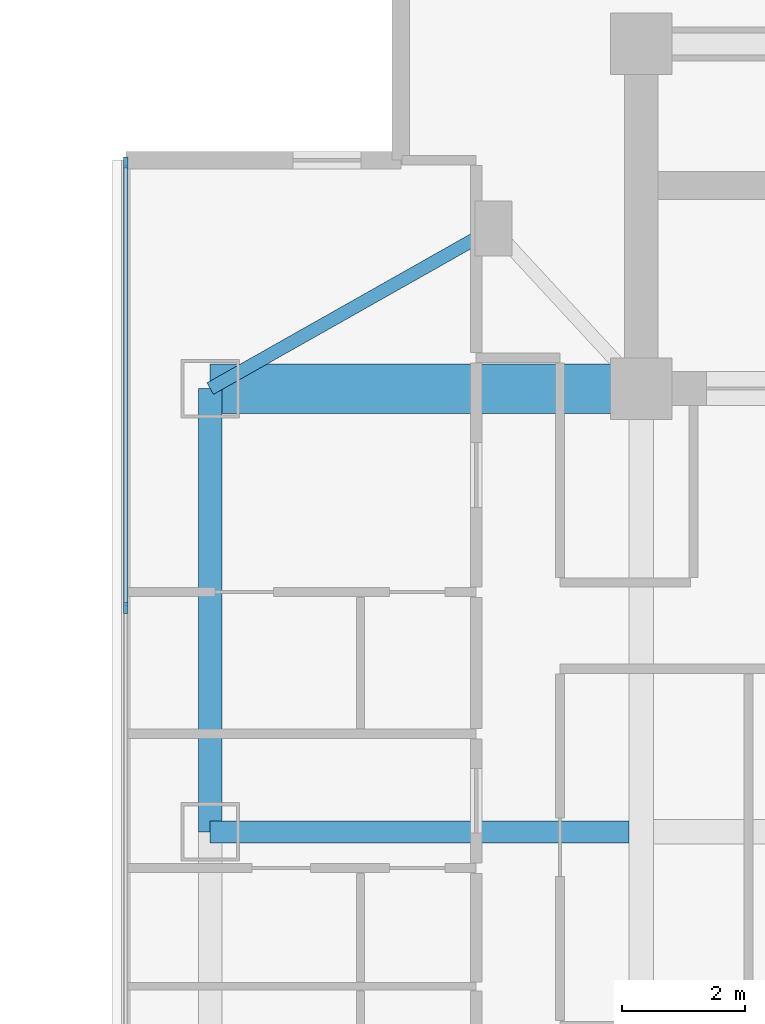
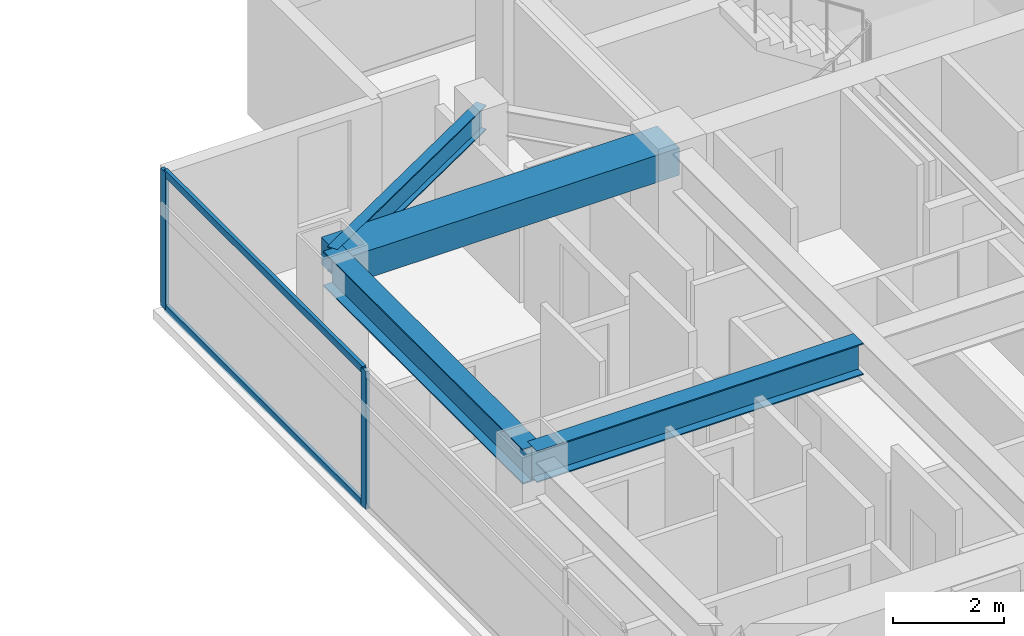
# One storey, part 7 of 24: 4 beams, 4 members, 1 element without a shape of its own.
"""IFC4 building model written with IfcOpenShell, lengths in metres."""

from ifc_helpers import new_model, si_unit, direction, frame, origin, origin_2d, place, context, subcontext, project, spatial, rectangle, i_section, extrude, material, material_profile, profile_set, type_object, element, aggregate, save


model = new_model("IFC4")

# Units and contexts
model_context = context("Model", 3, precision=1e-05, world=origin(), true_north=direction((0.0, 1.0)))
body_context = subcontext(model_context, "Body", "Model", "MODEL_VIEW")
ifc_project = project(units=[si_unit("LENGTHUNIT", "METRE"), si_unit("AREAUNIT", "SQUARE_METRE"), si_unit("VOLUMEUNIT", "CUBIC_METRE"), si_unit("PLANEANGLEUNIT", "RADIAN"), si_unit("MASSUNIT", "GRAM", prefix="KILO")], contexts=[model_context])

# Site, building, storey
site_placement = place(None, origin())
site = spatial("IfcSite", under=ifc_project, at=site_placement, CompositionType="ELEMENT")
building_placement = place(site_placement, origin())
building = spatial("IfcBuilding", under=site, at=building_placement, Name="Mirazonda Arch Towers", CompositionType="ELEMENT")
storey_placement = place(building_placement, frame((0.0, 0.0, 157.64990234375)))
storey = spatial("IfcBuildingStorey", under=building, at=storey_placement, Name="L44", CompositionType="ELEMENT", Elevation=157.64990234375)

# Beams
ifc_material_1 = material(Name="Steel ASTM A992 Grade 50", Category="steel")
ifc_material_profile_1 = material_profile(ifc_material_1, i_section(OverallWidth=0.381103515625, OverallDepth=0.77294921875, WebThickness=0.0166015625, FlangeThickness=0.027099609375, at=origin_2d()), Name="W30X173")
ifc_profile_set_1 = profile_set([ifc_material_profile_1], Name="Steel ASTM A992 Grade 50")
beam_type_1 = type_object("IfcBeamType", Name="BM-EXT-W30X173", PredefinedType="USERDEFINED", material=ifc_profile_set_1)
beam_1_placement = place(storey_placement, frame((61.0, 28.0, 2.66357421875), z_axis=(0.0, 1.0, 0.0), x_axis=(-1.0, 0.0, 0.0)))
element("IfcBeam", 1, at=beam_1_placement, inside=storey, type_object=beam_type_1, Name="L44 Floor Beam BM-T2-L44-NS-W-28", ObjectType="GIRDER", PredefinedType="USERDEFINED", context=body_context, shape_type="SweptSolid", body=[
    extrude(i_section(OverallWidth=0.381103515625, OverallDepth=0.77294921875, WebThickness=0.0166015625, FlangeThickness=0.027099609375, at=origin_2d()), origin(), (0.0, 0.0, 1.0), 7.199951171875),
])
ifc_material_profile_2 = material_profile(ifc_material_1, i_section(OverallWidth=0.214111328125, OverallDepth=0.549072265625, WebThickness=0.0146484375, FlangeThickness=0.023681640625, at=origin_2d()), Name="W21X93")
ifc_profile_set_2 = profile_set([ifc_material_profile_2], Name="Steel ASTM A992 Grade 50")
beam_type_2 = type_object("IfcBeamType", Name="BM-INT-W21X93", PredefinedType="BEAM", material=ifc_profile_set_2)
beam_2_placement = place(storey_placement, frame((65.60009765625, 37.800048828125, 2.775634765625), z_axis=(-0.870559396632, -0.492063346467, 0.0), x_axis=(0.492063346467, -0.870559396632, 0.0)))
element("IfcBeam", 2, at=beam_2_placement, inside=storey, type_object=beam_type_2, Name="L44 Floor Beam BM-T2-L44-PL-NW2", PredefinedType="BEAM", context=body_context, shape_type="SweptSolid", body=[
    extrude(i_section(OverallWidth=0.214111328125, OverallDepth=0.549072265625, WebThickness=0.0146484375, FlangeThickness=0.023681640625, at=origin_2d()), origin(), (0.0, 0.0, 1.0), 5.2841796875),
])
ifc_material_profile_3 = material_profile(ifc_material_1, i_section(OverallWidth=0.35498046875, OverallDepth=0.696044921875, WebThickness=0.015380859375, FlangeThickness=0.02490234375, at=origin_2d()), Name="W27X146")
ifc_profile_set_3 = profile_set([ifc_material_profile_3], Name="Steel ASTM A992 Grade 50")
beam_type_3 = type_object("IfcBeamType", Name="BM-INT-W27X146", PredefinedType="BEAM", material=ifc_profile_set_3)
beam_3_placement = place(storey_placement, frame((61.0, 28.0, 2.7021484375), z_axis=(1.0, 0.0, 0.0), x_axis=(0.0, 1.0, 0.0)))
element("IfcBeam", 3, at=beam_3_placement, inside=storey, type_object=beam_type_3, Name="L44 Floor Beam BM-T2-L44-GW2", PredefinedType="BEAM", context=body_context, shape_type="SweptSolid", body=[
    extrude(i_section(OverallWidth=0.35498046875, OverallDepth=0.696044921875, WebThickness=0.015380859375, FlangeThickness=0.02490234375, at=origin_2d()), origin(), (0.0, 0.0, 1.0), 6.800048828125),
])
ifc_material_2 = material(Name="Concrete C60/75", Category="concrete")
ifc_material_profile_4 = material_profile(ifc_material_2, rectangle(XDim=0.800048828125, YDim=0.60009765625, at=origin_2d()), Name="RCCB800x600")
ifc_profile_set_4 = profile_set([ifc_material_profile_4], Name="Concrete C60/75")
beam_type_4 = type_object("IfcBeamType", Name="CB-INT-RCCB800x600", PredefinedType="SPANDREL", material=ifc_profile_set_4)
beam_4_placement = place(storey_placement, frame((61.0, 35.199951171875, 2.75), z_axis=(1.0, 0.0, 0.0), x_axis=(0.0, 1.0, 0.0)))
element("IfcBeam", 4, at=beam_4_placement, inside=storey, type_object=beam_type_4, Name="L44 Floor Beam CBC-T2-L44-NW", PredefinedType="SPANDREL", context=body_context, shape_type="SweptSolid", body=[
    extrude(rectangle(XDim=0.800048828125, YDim=0.60009765625, at=origin_2d()), origin(), (0.0, 0.0, 1.0), 7.0),
])

# Curtain wall, members
ifc_material_3 = material(Name="Anodised Aluminium and Low-E Glass", Category="aluminium")
curtain_wall_type = type_object("IfcCurtainWallType", Name="CW-RES-UNIT", PredefinedType="NOTDEFINED", material=ifc_material_3)
curtain_wall_placement = place(storey_placement, origin())
curtain_wall = element("IfcCurtainWall", 5, at=curtain_wall_placement, inside=storey, type_object=curtain_wall_type, Name="L44 T2 W Facade CW-L44-T2-W", PredefinedType="NOTDEFINED")
ifc_material_4 = material(Name="Anodised Aluminium Alloy", Category="aluminium")
ifc_material_profile_5 = material_profile(ifc_material_4, rectangle(XDim=0.074951171875, YDim=0.175048828125, at=origin_2d()), Name="ALU-MULL-75x175")
ifc_profile_set_5 = profile_set([ifc_material_profile_5], Name="Anodised Aluminium Alloy")
member_type_1 = type_object("IfcMemberType", Name="MULL-CW-RES-UNIT", PredefinedType="MULLION", material=ifc_profile_set_5)
member_1_placement = place(storey_placement, frame((59.62939453125, 38.8720703125, 0.0), z_axis=(0.0, 0.0, 1.0), x_axis=(1.0, 0.0, 0.0)))
member_1 = element("IfcMember", 6, at=member_1_placement, type_object=member_type_1, Name="CW-104 mullion 1", PredefinedType="MULLION", context=body_context, shape_type="SweptSolid", body=[
    extrude(rectangle(XDim=0.074951171875, YDim=0.175048828125, at=origin_2d()), origin(), (0.0, 0.0, 1.0), 3.030029296875),
])
member_2_placement = place(storey_placement, frame((59.62939453125, 31.636474609375, 0.0), z_axis=(0.0, 0.0, 1.0), x_axis=(1.0, 0.0, 0.0)))
member_2 = element("IfcMember", 7, at=member_2_placement, type_object=member_type_1, Name="CW-104 mullion 2", PredefinedType="MULLION", context=body_context, shape_type="SweptSolid", body=[
    extrude(rectangle(XDim=0.074951171875, YDim=0.175048828125, at=origin_2d()), origin(), (0.0, 0.0, 1.0), 3.030029296875),
])
ifc_material_profile_6 = material_profile(ifc_material_4, rectangle(XDim=0.074951171875, YDim=0.155029296875, at=origin_2d()), Name="ALU-TRAN-75x155")
ifc_profile_set_6 = profile_set([ifc_material_profile_6], Name="Anodised Aluminium Alloy")
member_type_2 = type_object("IfcMemberType", Name="TRAN-CW-RES-UNIT", PredefinedType="USERDEFINED", material=ifc_profile_set_6)
member_3_placement = place(storey_placement, frame((59.62939453125, 38.834716796875, 0.03759765625), z_axis=(0.0, -1.0, 0.0), x_axis=(1.0, 0.0, 0.0)))
member_3 = element("IfcMember", 8, at=member_3_placement, type_object=member_type_2, Name="CW-104 transom 1.1", ObjectType="TRANSOM", PredefinedType="USERDEFINED", context=body_context, shape_type="SweptSolid", body=[
    extrude(rectangle(XDim=0.074951171875, YDim=0.155029296875, at=origin_2d()), origin(), (0.0, 0.0, 1.0), 7.16064453125),
])
member_4_placement = place(storey_placement, frame((59.62939453125, 38.834716796875, 2.99267578125), z_axis=(0.0, -1.0, 0.0), x_axis=(1.0, 0.0, 0.0)))
member_4 = element("IfcMember", 9, at=member_4_placement, type_object=member_type_2, Name="CW-104 transom 1.2", ObjectType="TRANSOM", PredefinedType="USERDEFINED", context=body_context, shape_type="SweptSolid", body=[
    extrude(rectangle(XDim=0.074951171875, YDim=0.155029296875, at=origin_2d()), origin(), (0.0, 0.0, 1.0), 7.16064453125),
])
aggregate(curtain_wall, [member_1, member_2, member_3, member_4])

save(model, "model.ifc")
